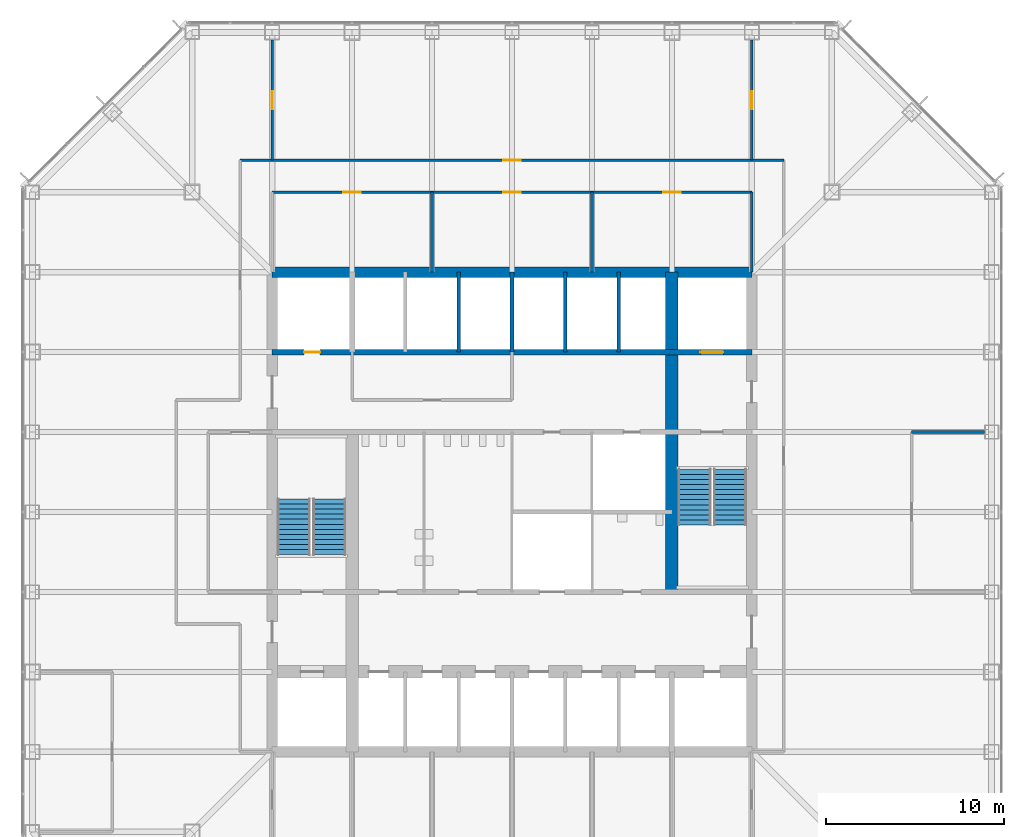
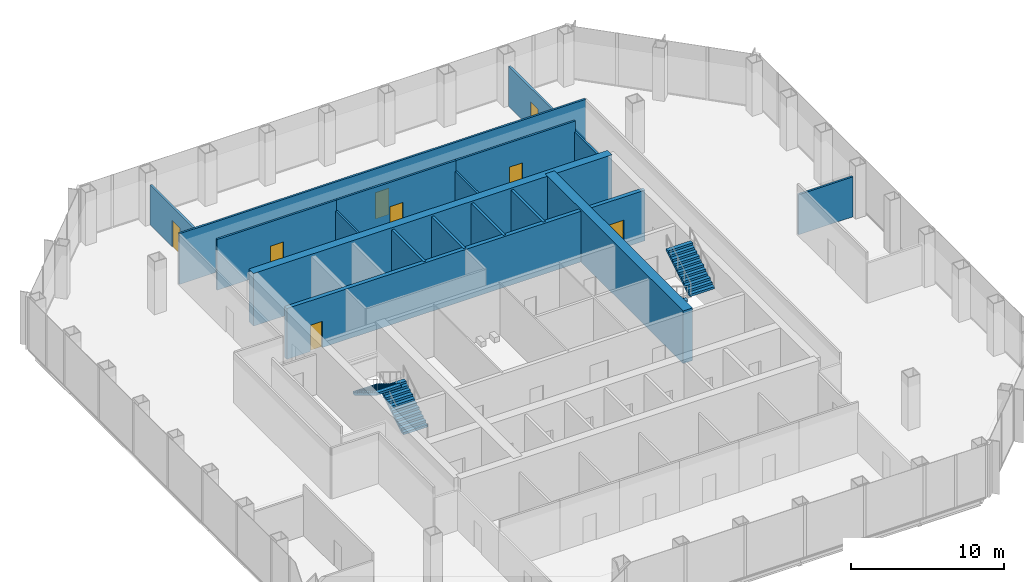
# One storey, part 10 of 12: 17 walls, 8 doors, 4 stair flights, 8 openings, 2 elements without a shape of their own.
"""IFC4 building model written with IfcOpenShell, lengths in metres."""

from ifc_helpers import new_model, si_unit, direction, frame, frame_2d, origin, place, context, subcontext, project, spatial, polyline, rectangle, outline, extrude, material, layer, layer_set, type_object, element, fill, aggregate, save


model = new_model("IFC4")

# Units and contexts
model_context = context("Model", 3, precision=1e-05, world=origin(), true_north=direction((0.0, 1.0)))
body_context = subcontext(model_context, "Body", "Model", "MODEL_VIEW")
ifc_project = project(units=[si_unit("LENGTHUNIT", "METRE"), si_unit("AREAUNIT", "SQUARE_METRE"), si_unit("VOLUMEUNIT", "CUBIC_METRE"), si_unit("PLANEANGLEUNIT", "RADIAN"), si_unit("MASSUNIT", "GRAM", prefix="KILO")], contexts=[model_context])

# Site, building, storey
site_placement = place(None, origin())
site = spatial("IfcSite", under=ifc_project, at=site_placement, CompositionType="ELEMENT")
building_placement = place(site_placement, origin())
building = spatial("IfcBuilding", under=site, at=building_placement, Name="Corais Broadcast Tower", CompositionType="ELEMENT")
storey_placement = place(building_placement, frame((0.0, 0.0, 58.39990234375)))
storey = spatial("IfcBuildingStorey", under=building, at=storey_placement, Name="L12", CompositionType="ELEMENT", Elevation=58.39990234375)

# Walls
ifc_material_1 = material(Name="Concrete C50/60", Category="concrete")
ifc_layer_1 = layer(ifc_material_1, 0.699951171875)
ifc_layer_set_1 = layer_set([ifc_layer_1], Name="Concrete C50/60")
wall_type_1 = type_object("IfcWallType", Name="Core spine wall 700", PredefinedType="SHEAR", material=ifc_layer_set_1)
wall_1_placement = place(storey_placement, frame((36.0, 22.5, 0.0), z_axis=(0.0, 0.0, 1.0), x_axis=(0.0, 1.0, 0.0)))
element("IfcWall", 1, at=wall_1_placement, inside=storey, type_object=wall_type_1, Name="CR700 core wall X36B L12", PredefinedType="SHEAR", context=body_context, shape_type="SweptSolid", body=[
    extrude(rectangle(XDim=18.0, YDim=0.699951171875, at=frame_2d((9.0, 0.0))), origin(), (0.0, 0.0, 1.0), 4.2001953125),
])
ifc_material_2 = material(Name="Concrete C50/60", Category="concrete")
ifc_layer_2 = layer(ifc_material_2, 0.60009765625)
ifc_layer_set_2 = layer_set([ifc_layer_2], Name="Concrete C50/60")
wall_type_2 = type_object("IfcWallType", Name="Core wall 600", PredefinedType="SHEAR", material=ifc_layer_set_2)
wall_2_placement = place(storey_placement, frame((40.5, 40.5, 0.0), z_axis=(0.0, 0.0, 1.0), x_axis=(-1.0, 0.0, 0.0)))
element("IfcWall", 2, at=wall_2_placement, inside=storey, type_object=wall_type_2, Name="CR600 core wall N L12", PredefinedType="SHEAR", context=body_context, shape_type="SweptSolid", body=[
    extrude(rectangle(XDim=27.0, YDim=0.60009765625, at=frame_2d((13.5, 0.0))), origin(), (0.0, 0.0, 1.0), 4.2001953125),
])

# Wall, openings, doors
ifc_material_3 = material(Name="Concrete blockwork class A, grouted, four-hour", Category="masonry")
ifc_layer_3 = layer(ifc_material_3, 0.300048828125)
ifc_layer_set_3 = layer_set([ifc_layer_3], Name="Concrete blockwork class A, grouted, four-hour")
wall_type_3 = type_object("IfcWallType", Name="Emergency lift shaft wall 300", PredefinedType="SOLIDWALL", material=ifc_layer_set_3)
wall_3_placement = place(storey_placement, frame((13.5, 36.0, 0.0), z_axis=(0.0, 0.0, 1.0), x_axis=(1.0, 0.0, 0.0)))
wall_3 = element("IfcWall", 3, at=wall_3_placement, inside=storey, type_object=wall_type_3, Name="LS1 core lobby wall Y36 L12", PredefinedType="SOLIDWALL", context=body_context, shape_type="SweptSolid", body=[
    extrude(rectangle(XDim=27.0, YDim=0.300048828125, at=frame_2d((13.5, 0.0))), origin(), (0.0, 0.0, 1.0), 4.0400390625),
])
opening_1_placement = place(wall_3_placement, frame((1.800048828125, 0.0, 0.0)))
opening_1 = element("IfcOpeningElement", 4, at=opening_1_placement, cuts=wall_3, Name="Opening RD1", PredefinedType="OPENING", context=body_context, shape_type="SweptSolid", body=[
    extrude(rectangle(XDim=0.89990234375, YDim=2.10009765625, at=frame_2d((0.449951171875, 1.050048828125))), frame((0.0, 0.159912109375, 0.0), z_axis=(0.0, -1.0, 0.0), x_axis=(1.0, 0.0, 0.0)), (0.0, 0.0, 1.0), 0.320068359375),
])
opening_2_placement = place(wall_3_placement, frame((24.10009765625, 0.0, 0.0)))
opening_2 = element("IfcOpeningElement", 5, at=opening_2_placement, cuts=wall_3, Name="Opening LD2", PredefinedType="OPENING", context=body_context, shape_type="SweptSolid", body=[
    extrude(rectangle(XDim=1.300048828125, YDim=2.199951171875, at=frame_2d((0.64990234375, 1.10009765625))), frame((0.0, 0.159912109375, 0.0), z_axis=(0.0, -1.0, 0.0), x_axis=(1.0, 0.0, 0.0)), (0.0, 0.0, 1.0), 0.320068359375),
])
ifc_material_4 = material(Name="Stainless steel lift door", Category="steel")
door_type_1 = type_object("IfcDoorType", Name="Lift landing door 1300x2200", OperationType="SLIDING_TO_LEFT", PredefinedType="DOOR", material=ifc_material_4)
door_1_placement = place(opening_2_placement, origin())
door_1 = element("IfcDoor", 6, at=door_1_placement, inside=storey, type_object=door_type_1, Name="LD2 FL2 landing door L12", OperationType="SLIDING_TO_LEFT", OverallHeight=2.199951171875, OverallWidth=1.300048828125, PredefinedType="DOOR", context=body_context, shape_type="SweptSolid", body=[
    extrude(rectangle(XDim=1.300048828125, YDim=2.199951171875, at=frame_2d((0.64990234375, 1.10009765625))), frame((0.0, 0.02490234375, 0.0), z_axis=(0.0, -1.0, 0.0), x_axis=(1.0, 0.0, 0.0)), (0.0, 0.0, 1.0), 0.050048828125),
])
fill(opening_2, door_1)
ifc_material_5 = material(Name="Steel fire door", Category="steel")
door_type_2 = type_object("IfcDoorType", Name="Riser door 900x2100", OperationType="SINGLE_SWING_LEFT", PredefinedType="DOOR", material=ifc_material_5)
door_2_placement = place(opening_1_placement, origin())
door_2 = element("IfcDoor", 7, at=door_2_placement, inside=storey, type_object=door_type_2, Name="RD1 riser door L12", OperationType="SINGLE_SWING_LEFT", OverallHeight=2.10009765625, OverallWidth=0.89990234375, PredefinedType="DOOR", context=body_context, shape_type="SweptSolid", body=[
    extrude(rectangle(XDim=0.89990234375, YDim=2.10009765625, at=frame_2d((0.449951171875, 1.050048828125))), frame((0.0, 0.02490234375, 0.0), z_axis=(0.0, -1.0, 0.0), x_axis=(1.0, 0.0, 0.0)), (0.0, 0.0, 1.0), 0.050048828125),
])
fill(opening_1, door_2)

# Wall, opening, door
ifc_material_6 = material(Name="Gypsum board on steel studs", Category="steel")
ifc_layer_4 = layer(ifc_material_6, 0.14990234375)
ifc_layer_set_4 = layer_set([ifc_layer_4], Name="Gypsum board on steel studs")
wall_type_4 = type_object("IfcWallType", Name="Partition 150", PredefinedType="PARTITIONING", material=ifc_layer_set_4)
wall_4_placement = place(storey_placement, frame((42.300048828125, 46.800048828125, 0.0), z_axis=(0.0, 0.0, 1.0), x_axis=(-1.0, 0.0, 0.0)))
wall_4 = element("IfcWall", 8, at=wall_4_placement, inside=storey, type_object=wall_type_4, Name="IW3 corridor wall L12", PredefinedType="PARTITIONING", context=body_context, shape_type="SweptSolid", body=[
    extrude(rectangle(XDim=30.60009765625, YDim=0.14990234375, at=frame_2d((15.300048828125, 0.0))), origin(), (0.0, 0.0, 1.0), 4.0400390625),
])
opening_3_placement = place(wall_4_placement, frame((14.800048828125, 0.0, 0.0)))
opening_3 = element("IfcOpeningElement", 9, at=opening_3_placement, cuts=wall_4, Name="Opening D1", PredefinedType="OPENING", context=body_context, shape_type="SweptSolid", body=[
    extrude(rectangle(XDim=1.0, YDim=2.10009765625, at=frame_2d((0.5, 1.050048828125))), frame((0.0, 0.0849609375, 0.0), z_axis=(0.0, -1.0, 0.0), x_axis=(1.0, 0.0, 0.0)), (0.0, 0.0, 1.0), 0.169921875),
])
ifc_material_7 = material(Name="Timber door", Category="wood")
door_type_3 = type_object("IfcDoorType", Name="Single door 1000x2100", OperationType="SINGLE_SWING_LEFT", PredefinedType="DOOR", material=ifc_material_7)
door_3_placement = place(opening_3_placement, origin())
door_3 = element("IfcDoor", 10, at=door_3_placement, inside=storey, type_object=door_type_3, Name="D1 workplace door L12", OperationType="SINGLE_SWING_LEFT", OverallHeight=2.10009765625, OverallWidth=1.0, PredefinedType="DOOR", context=body_context, shape_type="SweptSolid", body=[
    extrude(rectangle(XDim=1.0, YDim=2.10009765625, at=frame_2d((0.5, 1.050048828125))), frame((0.0, 0.02490234375, 0.0), z_axis=(0.0, -1.0, 0.0), x_axis=(1.0, 0.0, 0.0)), (0.0, 0.0, 1.0), 0.050048828125),
])
fill(opening_3, door_3)

# Wall
wall_5_placement = place(storey_placement, frame((22.5, 40.5, 0.0), z_axis=(0.0, 0.0, 1.0), x_axis=(0.0, 1.0, 0.0)))
element("IfcWall", 11, at=wall_5_placement, inside=storey, type_object=wall_type_4, Name="IW3 partition L12", PredefinedType="PARTITIONING", context=body_context, shape_type="SweptSolid", body=[
    extrude(rectangle(XDim=4.5, YDim=0.14990234375, at=frame_2d((2.25, 0.0))), origin(), (0.0, 0.0, 1.0), 3.189208984375),
])

# Wall, opening, door
wall_6_placement = place(storey_placement, frame((22.5, 45.0, 0.0), z_axis=(0.0, 0.0, 1.0), x_axis=(-1.0, 0.0, 0.0)))
wall_6 = element("IfcWall", 12, at=wall_6_placement, inside=storey, type_object=wall_type_4, Name="IW3 partition L12", PredefinedType="PARTITIONING", context=body_context, shape_type="SweptSolid", body=[
    extrude(rectangle(XDim=9.0, YDim=0.14990234375, at=frame_2d((4.5, 0.0))), origin(), (0.0, 0.0, 1.0), 4.0400390625),
])
opening_4_placement = place(wall_6_placement, frame((4.0, 0.0, 0.0)))
opening_4 = element("IfcOpeningElement", 13, at=opening_4_placement, cuts=wall_6, Name="Opening D1", PredefinedType="OPENING", context=body_context, shape_type="SweptSolid", body=[
    extrude(rectangle(XDim=1.0, YDim=2.10009765625, at=frame_2d((0.5, 1.050048828125))), frame((0.0, 0.0849609375, 0.0), z_axis=(0.0, -1.0, 0.0), x_axis=(1.0, 0.0, 0.0)), (0.0, 0.0, 1.0), 0.169921875),
])
door_4_placement = place(opening_4_placement, origin())
door_4 = element("IfcDoor", 14, at=door_4_placement, inside=storey, type_object=door_type_3, Name="D1 Colour suite door", OperationType="SINGLE_SWING_LEFT", OverallHeight=2.10009765625, OverallWidth=1.0, PredefinedType="DOOR", context=body_context, shape_type="SweptSolid", body=[
    extrude(rectangle(XDim=1.0, YDim=2.10009765625, at=frame_2d((0.5, 1.050048828125))), frame((0.0, 0.02490234375, 0.0), z_axis=(0.0, -1.0, 0.0), x_axis=(1.0, 0.0, 0.0)), (0.0, 0.0, 1.0), 0.050048828125),
])
fill(opening_4, door_4)

# Wall
wall_7_placement = place(storey_placement, frame((31.5, 40.5, 0.0), z_axis=(0.0, 0.0, 1.0), x_axis=(0.0, 1.0, 0.0)))
element("IfcWall", 15, at=wall_7_placement, inside=storey, type_object=wall_type_4, Name="IW3 partition L12", PredefinedType="PARTITIONING", context=body_context, shape_type="SweptSolid", body=[
    extrude(rectangle(XDim=4.5, YDim=0.14990234375, at=frame_2d((2.25, 0.0))), origin(), (0.0, 0.0, 1.0), 3.189208984375),
])

# Wall, opening, door
wall_8_placement = place(storey_placement, frame((31.5, 45.0, 0.0), z_axis=(0.0, 0.0, 1.0), x_axis=(-1.0, 0.0, 0.0)))
wall_8 = element("IfcWall", 16, at=wall_8_placement, inside=storey, type_object=wall_type_4, Name="IW3 partition L12", PredefinedType="PARTITIONING", context=body_context, shape_type="SweptSolid", body=[
    extrude(rectangle(XDim=9.0, YDim=0.14990234375, at=frame_2d((4.5, 0.0))), origin(), (0.0, 0.0, 1.0), 4.0400390625),
])
opening_5_placement = place(wall_8_placement, frame((4.0, 0.0, 0.0)))
opening_5 = element("IfcOpeningElement", 17, at=opening_5_placement, cuts=wall_8, Name="Opening D1", PredefinedType="OPENING", context=body_context, shape_type="SweptSolid", body=[
    extrude(rectangle(XDim=1.0, YDim=2.10009765625, at=frame_2d((0.5, 1.050048828125))), frame((0.0, 0.0849609375, 0.0), z_axis=(0.0, -1.0, 0.0), x_axis=(1.0, 0.0, 0.0)), (0.0, 0.0, 1.0), 0.169921875),
])
door_5_placement = place(opening_5_placement, origin())
door_5 = element("IfcDoor", 18, at=door_5_placement, inside=storey, type_object=door_type_3, Name="D1 Colour suite door", OperationType="SINGLE_SWING_LEFT", OverallHeight=2.10009765625, OverallWidth=1.0, PredefinedType="DOOR", context=body_context, shape_type="SweptSolid", body=[
    extrude(rectangle(XDim=1.0, YDim=2.10009765625, at=frame_2d((0.5, 1.050048828125))), frame((0.0, 0.02490234375, 0.0), z_axis=(0.0, -1.0, 0.0), x_axis=(1.0, 0.0, 0.0)), (0.0, 0.0, 1.0), 0.050048828125),
])
fill(opening_5, door_5)

# Wall
wall_9_placement = place(storey_placement, frame((40.5, 40.5, 0.0), z_axis=(0.0, 0.0, 1.0), x_axis=(0.0, 1.0, 0.0)))
element("IfcWall", 19, at=wall_9_placement, inside=storey, type_object=wall_type_4, Name="IW3 partition L12", PredefinedType="PARTITIONING", context=body_context, shape_type="SweptSolid", body=[
    extrude(rectangle(XDim=4.5, YDim=0.14990234375, at=frame_2d((2.25, 0.0))), origin(), (0.0, 0.0, 1.0), 3.189208984375),
])

# Wall, opening, door
wall_10_placement = place(storey_placement, frame((40.5, 45.0, 0.0), z_axis=(0.0, 0.0, 1.0), x_axis=(-1.0, 0.0, 0.0)))
wall_10 = element("IfcWall", 20, at=wall_10_placement, inside=storey, type_object=wall_type_4, Name="IW3 partition L12", PredefinedType="PARTITIONING", context=body_context, shape_type="SweptSolid", body=[
    extrude(rectangle(XDim=9.0, YDim=0.14990234375, at=frame_2d((4.5, 0.0))), origin(), (0.0, 0.0, 1.0), 4.0400390625),
])
opening_6_placement = place(wall_10_placement, frame((4.0, 0.0, 0.0)))
opening_6 = element("IfcOpeningElement", 21, at=opening_6_placement, cuts=wall_10, Name="Opening D1", PredefinedType="OPENING", context=body_context, shape_type="SweptSolid", body=[
    extrude(rectangle(XDim=1.0, YDim=2.10009765625, at=frame_2d((0.5, 1.050048828125))), frame((0.0, 0.0849609375, 0.0), z_axis=(0.0, -1.0, 0.0), x_axis=(1.0, 0.0, 0.0)), (0.0, 0.0, 1.0), 0.169921875),
])
door_6_placement = place(opening_6_placement, origin())
door_6 = element("IfcDoor", 22, at=door_6_placement, inside=storey, type_object=door_type_3, Name="D1 Colour suite door", OperationType="SINGLE_SWING_LEFT", OverallHeight=2.10009765625, OverallWidth=1.0, PredefinedType="DOOR", context=body_context, shape_type="SweptSolid", body=[
    extrude(rectangle(XDim=1.0, YDim=2.10009765625, at=frame_2d((0.5, 1.050048828125))), frame((0.0, 0.02490234375, 0.0), z_axis=(0.0, -1.0, 0.0), x_axis=(1.0, 0.0, 0.0)), (0.0, 0.0, 1.0), 0.050048828125),
])
fill(opening_6, door_6)

# Wall
wall_11_placement = place(storey_placement, frame((53.590087890625, 31.5, 0.0), z_axis=(0.0, 0.0, 1.0), x_axis=(-1.0, 0.0, 0.0)))
element("IfcWall", 23, at=wall_11_placement, inside=storey, type_object=wall_type_4, Name="IW3 partition L12", PredefinedType="PARTITIONING", context=body_context, shape_type="SweptSolid", body=[
    extrude(rectangle(XDim=4.090087890625, YDim=0.14990234375, at=frame_2d((2.044921875, 0.0))), origin(), (0.0, 0.0, 1.0), 3.189208984375),
])

# Wall, opening, door
wall_12_placement = place(storey_placement, frame((40.5, 53.554931640625, 0.0), z_axis=(0.0, 0.0, 1.0), x_axis=(0.0, -1.0, 0.0)))
wall_12 = element("IfcWall", 24, at=wall_12_placement, inside=storey, type_object=wall_type_4, Name="IW3 partition L12", PredefinedType="PARTITIONING", context=body_context, shape_type="SweptSolid", body=[
    extrude(rectangle(XDim=6.7548828125, YDim=0.14990234375, at=frame_2d((3.37744140625, 0.0))), origin(), (0.0, 0.0, 1.0), 3.189208984375),
])
opening_7_placement = place(wall_12_placement, frame((2.87744140625, 0.0, 0.0)))
opening_7 = element("IfcOpeningElement", 25, at=opening_7_placement, cuts=wall_12, Name="Opening D1", PredefinedType="OPENING", context=body_context, shape_type="SweptSolid", body=[
    extrude(rectangle(XDim=1.0, YDim=2.10009765625, at=frame_2d((0.5, 1.050048828125))), frame((0.0, 0.0849609375, 0.0), z_axis=(0.0, -1.0, 0.0), x_axis=(1.0, 0.0, 0.0)), (0.0, 0.0, 1.0), 0.169921875),
])
door_7_placement = place(opening_7_placement, origin())
door_7 = element("IfcDoor", 26, at=door_7_placement, inside=storey, type_object=door_type_3, Name="D1 team room door L12", OperationType="SINGLE_SWING_LEFT", OverallHeight=2.10009765625, OverallWidth=1.0, PredefinedType="DOOR", context=body_context, shape_type="SweptSolid", body=[
    extrude(rectangle(XDim=1.0, YDim=2.10009765625, at=frame_2d((0.5, 1.050048828125))), frame((0.0, 0.02490234375, 0.0), z_axis=(0.0, -1.0, 0.0), x_axis=(1.0, 0.0, 0.0)), (0.0, 0.0, 1.0), 0.050048828125),
])
fill(opening_7, door_7)

wall_13_placement = place(storey_placement, frame((13.5, 46.800048828125, 0.0), z_axis=(0.0, 0.0, 1.0), x_axis=(0.0, 1.0, 0.0)))
wall_13 = element("IfcWall", 27, at=wall_13_placement, inside=storey, type_object=wall_type_4, Name="IW3 partition L12", PredefinedType="PARTITIONING", context=body_context, shape_type="SweptSolid", body=[
    extrude(rectangle(XDim=6.7548828125, YDim=0.14990234375, at=frame_2d((3.37744140625, 0.0))), origin(), (0.0, 0.0, 1.0), 3.189208984375),
])
opening_8_placement = place(wall_13_placement, frame((2.87744140625, 0.0, 0.0)))
opening_8 = element("IfcOpeningElement", 28, at=opening_8_placement, cuts=wall_13, Name="Opening D1", PredefinedType="OPENING", context=body_context, shape_type="SweptSolid", body=[
    extrude(rectangle(XDim=1.0, YDim=2.10009765625, at=frame_2d((0.5, 1.050048828125))), frame((0.0, 0.0849609375, 0.0), z_axis=(0.0, -1.0, 0.0), x_axis=(1.0, 0.0, 0.0)), (0.0, 0.0, 1.0), 0.169921875),
])
door_8_placement = place(opening_8_placement, origin())
door_8 = element("IfcDoor", 29, at=door_8_placement, inside=storey, type_object=door_type_3, Name="D1 team room door L12", OperationType="SINGLE_SWING_LEFT", OverallHeight=2.10009765625, OverallWidth=1.0, PredefinedType="DOOR", context=body_context, shape_type="SweptSolid", body=[
    extrude(rectangle(XDim=1.0, YDim=2.10009765625, at=frame_2d((0.5, 1.050048828125))), frame((0.0, 0.02490234375, 0.0), z_axis=(0.0, -1.0, 0.0), x_axis=(1.0, 0.0, 0.0)), (0.0, 0.0, 1.0), 0.050048828125),
])
fill(opening_8, door_8)

# Walls
ifc_material_8 = material(Name="Concrete blockwork class A, grouted, two-hour", Category="masonry")
ifc_layer_5 = layer(ifc_material_8, 0.199951171875)
ifc_layer_set_5 = layer_set([ifc_layer_5], Name="Concrete blockwork class A, grouted, two-hour")
wall_type_5 = type_object("IfcWallType", Name="Shaft wall 200", PredefinedType="PARTITIONING", material=ifc_layer_set_5)
for number, where, z_axis, x_axis, name in (
    (30, (24.0, 36.0, 0.0), (0.0, 0.0, 1.0), (0.0, 1.0, 0.0), "IW1 shaft wall L12"),
    (31, (27.0, 36.0, 0.0), (0.0, 0.0, 1.0), (0.0, 1.0, 0.0), "IW1 shaft wall L12"),
    (32, (30.0, 36.0, 0.0), (0.0, 0.0, 1.0), (0.0, 1.0, 0.0), "IW1 shaft wall L12"),
    (33, (33.0, 36.0, 0.0), (0.0, 0.0, 1.0), (0.0, 1.0, 0.0), "IW1 shaft wall L12"),
):
    element("IfcWall", number, at=place(storey_placement, frame(where, z_axis=z_axis, x_axis=x_axis)), inside=storey, type_object=wall_type_5, Name=name, PredefinedType="PARTITIONING", context=body_context, shape_type="SweptSolid", body=[
        extrude(rectangle(XDim=4.5, YDim=0.199951171875, at=frame_2d((2.25, 0.0))), origin(), (0.0, 0.0, 1.0), 4.0400390625),
    ])

# Stair, stair flights
ifc_material_9 = material(Name="Concrete C30/37", Category="concrete")
stair_type = type_object("IfcStairType", Name="Half-turn stair 4200", PredefinedType="HALF_TURN_STAIR", material=ifc_material_9)
stair_1_placement = place(storey_placement, origin())
stair_1 = element("IfcStair", 34, at=stair_1_placement, inside=storey, type_object=stair_type, Name="Stair A L12", PredefinedType="HALF_TURN_STAIR")
ifc_material_10 = material(Name="Concrete C30/37", Category="concrete")
stair_flight_type = type_object("IfcStairFlightType", Name="Stair flight 4200", PredefinedType="STRAIGHT", material=ifc_material_10)
stair_flight_1_placement = place(storey_placement, frame((16.72509765625, 24.60009765625, 0.0), z_axis=(0.0, 0.0, 1.0), x_axis=(0.0, 1.0, 0.0)))
stair_flight_1 = element("IfcStairFlight", 35, at=stair_flight_1_placement, type_object=stair_flight_type, Name="STA flight 1", NumberOfRisers=12, NumberOfTreads=11, PredefinedType="STRAIGHT", RiserHeight=0.175, TreadLength=0.285, context=body_context, shape_type="SweptSolid", body=[
    extrude(outline(polyline([(0.0, 0.0), (0.0, 0.175048828125), (0.284912109375, 0.175048828125), (0.284912109375, 0.35009765625), (0.570068359375, 0.35009765625), (0.570068359375, 0.52490234375), (0.85498046875, 0.52490234375), (0.85498046875, 0.699951171875), (1.139892578125, 0.699951171875), (1.139892578125, 0.875), (1.425048828125, 0.875), (1.425048828125, 1.050048828125), (1.7099609375, 1.050048828125), (1.7099609375, 1.22509765625), (1.9951171875, 1.22509765625), (1.9951171875, 1.39990234375), (2.280029296875, 1.39990234375), (2.280029296875, 1.574951171875), (2.56494140625, 1.574951171875), (2.56494140625, 1.75), (2.85009765625, 1.75), (2.85009765625, 1.925048828125), (3.135009765625, 1.925048828125), (3.135009765625, 2.10009765625), (3.135009765625, 1.7490234375), (0.286376953125, 0.0), (0.0, 0.0)])), frame((0.0, 0.925048828125, 0.0), z_axis=(0.0, -1.0, 0.0), x_axis=(1.0, 0.0, 0.0)), (0.0, 0.0, 1.0), 1.85009765625),
])
stair_flight_2_placement = place(storey_placement, frame((14.72509765625, 27.735107421875, 2.10009765625), z_axis=(0.0, 0.0, 1.0), x_axis=(0.0, -1.0, 0.0)))
stair_flight_2 = element("IfcStairFlight", 36, at=stair_flight_2_placement, type_object=stair_flight_type, Name="STA flight 2", NumberOfRisers=12, NumberOfTreads=11, PredefinedType="STRAIGHT", RiserHeight=0.175, TreadLength=0.285, context=body_context, shape_type="SweptSolid", body=[
    extrude(outline(polyline([(0.0, 0.0), (0.0, 0.175048828125), (0.284912109375, 0.175048828125), (0.284912109375, 0.35009765625), (0.570068359375, 0.35009765625), (0.570068359375, 0.52490234375), (0.85498046875, 0.52490234375), (0.85498046875, 0.699951171875), (1.139892578125, 0.699951171875), (1.139892578125, 0.875), (1.425048828125, 0.875), (1.425048828125, 1.050048828125), (1.7099609375, 1.050048828125), (1.7099609375, 1.22509765625), (1.9951171875, 1.22509765625), (1.9951171875, 1.39990234375), (2.280029296875, 1.39990234375), (2.280029296875, 1.574951171875), (2.56494140625, 1.574951171875), (2.56494140625, 1.75), (2.85009765625, 1.75), (2.85009765625, 1.925048828125), (3.135009765625, 1.925048828125), (3.135009765625, 2.10009765625), (3.135009765625, 1.7490234375), (0.286376953125, 0.0), (0.0, 0.0)])), frame((0.0, 0.925048828125, 0.0), z_axis=(0.0, -1.0, 0.0), x_axis=(1.0, 0.0, 0.0)), (0.0, 0.0, 1.0), 1.85009765625),
])
aggregate(stair_1, [stair_flight_1, stair_flight_2])

stair_2_placement = place(storey_placement, origin())
stair_2 = element("IfcStair", 37, at=stair_2_placement, inside=storey, type_object=stair_type, Name="Stair B L12", PredefinedType="HALF_TURN_STAIR")
stair_flight_3_placement = place(storey_placement, frame((37.27490234375, 29.39990234375, 0.0), z_axis=(0.0, 0.0, 1.0), x_axis=(0.0, -1.0, 0.0)))
stair_flight_3 = element("IfcStairFlight", 38, at=stair_flight_3_placement, type_object=stair_flight_type, Name="STB flight 1", NumberOfRisers=12, NumberOfTreads=11, PredefinedType="STRAIGHT", RiserHeight=0.175, TreadLength=0.285, context=body_context, shape_type="SweptSolid", body=[
    extrude(outline(polyline([(0.0, 0.0), (0.0, 0.175048828125), (0.284912109375, 0.175048828125), (0.284912109375, 0.35009765625), (0.570068359375, 0.35009765625), (0.570068359375, 0.52490234375), (0.85498046875, 0.52490234375), (0.85498046875, 0.699951171875), (1.139892578125, 0.699951171875), (1.139892578125, 0.875), (1.425048828125, 0.875), (1.425048828125, 1.050048828125), (1.7099609375, 1.050048828125), (1.7099609375, 1.22509765625), (1.9951171875, 1.22509765625), (1.9951171875, 1.39990234375), (2.280029296875, 1.39990234375), (2.280029296875, 1.574951171875), (2.56494140625, 1.574951171875), (2.56494140625, 1.75), (2.85009765625, 1.75), (2.85009765625, 1.925048828125), (3.135009765625, 1.925048828125), (3.135009765625, 2.10009765625), (3.135009765625, 1.7490234375), (0.286376953125, 0.0), (0.0, 0.0)])), frame((0.0, 0.925048828125, 0.0), z_axis=(0.0, -1.0, 0.0), x_axis=(1.0, 0.0, 0.0)), (0.0, 0.0, 1.0), 1.85009765625),
])
stair_flight_4_placement = place(storey_placement, frame((39.27490234375, 26.264892578125, 2.10009765625), z_axis=(0.0, 0.0, 1.0), x_axis=(0.0, 1.0, 0.0)))
stair_flight_4 = element("IfcStairFlight", 39, at=stair_flight_4_placement, type_object=stair_flight_type, Name="STB flight 2", NumberOfRisers=12, NumberOfTreads=11, PredefinedType="STRAIGHT", RiserHeight=0.175, TreadLength=0.285, context=body_context, shape_type="SweptSolid", body=[
    extrude(outline(polyline([(0.0, 0.0), (0.0, 0.175048828125), (0.284912109375, 0.175048828125), (0.284912109375, 0.35009765625), (0.570068359375, 0.35009765625), (0.570068359375, 0.52490234375), (0.85498046875, 0.52490234375), (0.85498046875, 0.699951171875), (1.139892578125, 0.699951171875), (1.139892578125, 0.875), (1.425048828125, 0.875), (1.425048828125, 1.050048828125), (1.7099609375, 1.050048828125), (1.7099609375, 1.22509765625), (1.9951171875, 1.22509765625), (1.9951171875, 1.39990234375), (2.280029296875, 1.39990234375), (2.280029296875, 1.574951171875), (2.56494140625, 1.574951171875), (2.56494140625, 1.75), (2.85009765625, 1.75), (2.85009765625, 1.925048828125), (3.135009765625, 1.925048828125), (3.135009765625, 2.10009765625), (3.135009765625, 1.7490234375), (0.286376953125, 0.0), (0.0, 0.0)])), frame((0.0, 0.925048828125, 0.0), z_axis=(0.0, -1.0, 0.0), x_axis=(1.0, 0.0, 0.0)), (0.0, 0.0, 1.0), 1.85009765625),
])
aggregate(stair_2, [stair_flight_3, stair_flight_4])

save(model, "model.ifc")
